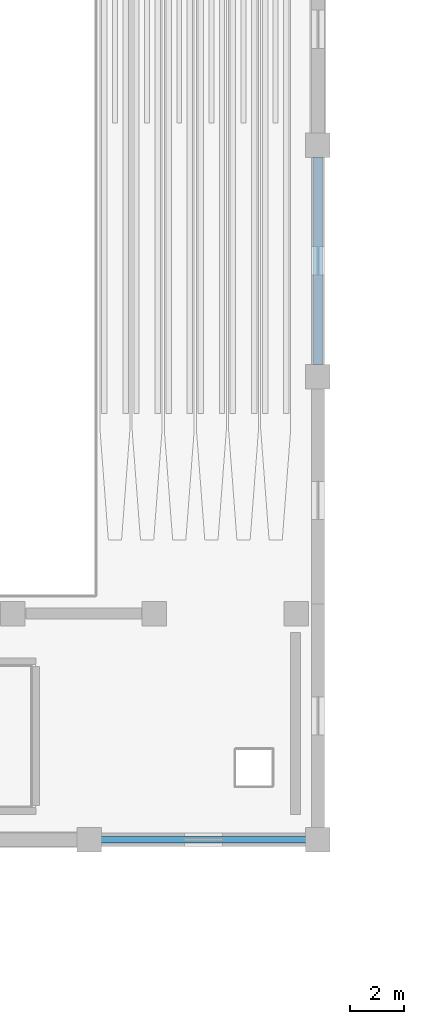
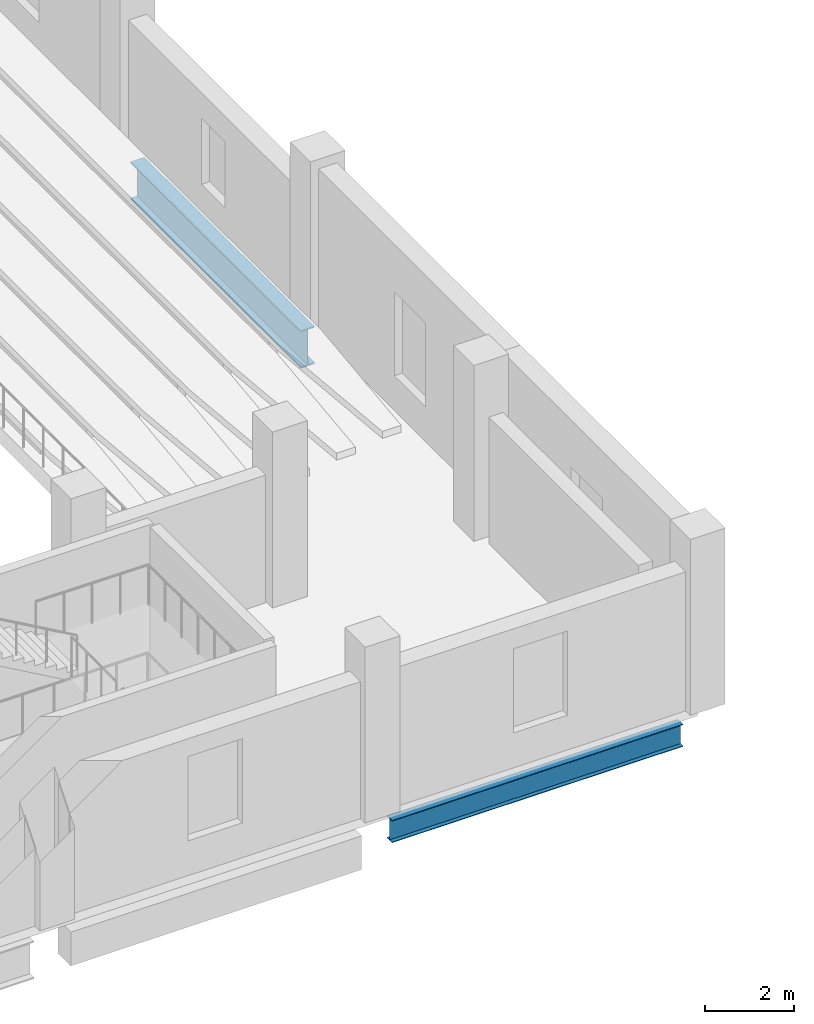
# One storey, part 39 of 77: 2 beams.
"""IFC4 building model written with IfcOpenShell, lengths in metres."""

import ifcopenshell
import ifcopenshell.guid

model = None  # the IFC model being written
_history = None  # IfcOwnerHistory: only IFC2X3 demands one
_inside = {}  # id of a spatial element -> (the spatial element, [elements in it])
_under = {}  # id of a project, library or spatial element -> (it, [spatial elements below it])
_declared = {}  # id of a project -> (the project, [libraries it declares])
_typed = {}  # id of a type object -> (the type object, [elements of that type])
_made_of = {}  # id of a material, layer set ... -> (it, [elements and type objects made of it])


def new_model(schema):
    """Start an empty IFC model of exactly this schema.

    Asked for "IFC4X3", IfcOpenShell would pick the latest addendum, in which some entities
    have other attributes; the version numbers below select the first issue.
    IFC2X3 requires an IfcOwnerHistory on every rooted entity: one is made here for all.
    """
    global model, _history
    if schema == "IFC4X3":
        model = ifcopenshell.file(schema_version=(4, 3, 0, 0))
    else:
        model = ifcopenshell.file(schema=schema)
    _inside.clear()
    _under.clear()
    _declared.clear()
    _typed.clear()
    _made_of.clear()
    _history = None
    if model.schema == "IFC2X3":
        org = make("IfcOrganization", Name="unknown")
        user = make(
            "IfcPersonAndOrganization",
            ThePerson=make("IfcPerson", FamilyName="unknown"),
            TheOrganization=org,
        )
        app = make(
            "IfcApplication",
            ApplicationDeveloper=org,
            Version="unknown",
            ApplicationFullName="unknown",
            ApplicationIdentifier="unknown",
        )
        _history = make(
            "IfcOwnerHistory",
            OwningUser=user,
            OwningApplication=app,
            ChangeAction="ADDED",
            CreationDate=0,
        )
    return model


def make(cls, **values):
    """One entity of the class cls with the attributes given. An attribute that is None is left unset."""
    return model.create_entity(
        cls, **{name: value for name, value in values.items() if value is not None}
    )


def rooted(cls, **values):
    """An entity with a GlobalId (a new one), such as an element, a storey or a relation."""
    return make(cls, GlobalId=ifcopenshell.guid.new(), OwnerHistory=_history, **values)


def si_unit(unit_type, name, prefix=None):
    """IfcSIUnit, for example si_unit("LENGTHUNIT", "METRE", prefix="MILLI")."""
    return make("IfcSIUnit", UnitType=unit_type, Prefix=prefix, Name=name)


def assignment(units):
    """IfcUnitAssignment: the units of a project."""
    return None if units is None else make("IfcUnitAssignment", Units=units)


def point(xyz):
    """IfcCartesianPoint."""
    return None if xyz is None else make("IfcCartesianPoint", Coordinates=xyz)


def direction(xyz):
    """IfcDirection."""
    return None if xyz is None else make("IfcDirection", DirectionRatios=xyz)


def frame(location, z_axis=None, x_axis=None):
    """IfcAxis2Placement3D, a coordinate frame: its origin and axes. An axis left out is left unset."""
    return make(
        "IfcAxis2Placement3D",
        Location=point(location),
        Axis=direction(z_axis),
        RefDirection=direction(x_axis),
    )


def frame_2d(location, x_axis=None):
    """IfcAxis2Placement2D, a coordinate frame in the plane: its origin and x axis."""
    return make(
        "IfcAxis2Placement2D", Location=point(location), RefDirection=direction(x_axis)
    )


def origin():
    """The frame at (0, 0, 0) with its axes left unset."""
    return frame((0.0, 0.0, 0.0))


def origin_2d():
    """The frame at (0, 0) in the plane with its x axis left unset."""
    return frame_2d((0.0, 0.0))


def place(relative_to, where):
    """IfcLocalPlacement: puts the frame where relative to a parent placement (None: the world)."""
    return make(
        "IfcLocalPlacement", PlacementRelTo=relative_to, RelativePlacement=where
    )


def context(
    kind, dimensions, precision=None, world=None, true_north=None, identifier=None
):
    """IfcGeometricRepresentationContext, for example the 3D "Model" context."""
    return make(
        "IfcGeometricRepresentationContext",
        ContextIdentifier=identifier,
        ContextType=kind,
        CoordinateSpaceDimension=dimensions,
        Precision=precision,
        WorldCoordinateSystem=world,
        TrueNorth=true_north,
    )


def subcontext(parent, identifier, kind, view, scale=None):
    """IfcGeometricRepresentationSubContext, for example "Body" below "Model"."""
    return make(
        "IfcGeometricRepresentationSubContext",
        ContextIdentifier=identifier,
        ContextType=kind,
        ParentContext=parent,
        TargetScale=scale,
        TargetView=view,
    )


def project(units=None, contexts=None):
    """IfcProject with its units and contexts."""
    return rooted(
        "IfcProject",
        Name="project",
        RepresentationContexts=contexts,
        UnitsInContext=assignment(units),
    )


def spatial(cls, under=None, at=None, **own):
    """A site, building, storey or space (cls), placed at a placement, below another one or the project."""
    s = rooted(cls, ObjectPlacement=at, **own)
    if under is not None:
        _under.setdefault(under.id(), (under, []))[1].append(s)
    return s


def profile(cls, at=None, kind="AREA", **sizes):
    """A parametric profile (cls). Its sizes go by their IFC names, for example OverallWidth=200.0."""
    return make(cls, ProfileType=kind, Position=at, **sizes)


def i_section(**sizes):
    """IfcIShapeProfileDef."""
    return profile("IfcIShapeProfileDef", **sizes)


def extrude(swept, where, along, depth):
    """IfcExtrudedAreaSolid: the profile swept, set in the frame where, extruded along a direction by depth."""
    return make(
        "IfcExtrudedAreaSolid",
        SweptArea=swept,
        Position=where,
        ExtrudedDirection=direction(along),
        Depth=depth,
    )


def shape(context_of_items, identifier, shape_type, items):
    """IfcShapeRepresentation: the items that make up one representation, for example the "Body"."""
    return make(
        "IfcShapeRepresentation",
        ContextOfItems=context_of_items,
        RepresentationIdentifier=identifier,
        RepresentationType=shape_type,
        Items=items,
    )


def material(Name=None, Category=None):
    """IfcMaterial."""
    return make("IfcMaterial", Name=Name, Category=Category)


def material_profile(
    of_material, cross_section, Name=None, Category=None, Priority=None
):
    """IfcMaterialProfile: a cross section and its material."""
    return make(
        "IfcMaterialProfile",
        Name=Name,
        Material=of_material,
        Profile=cross_section,
        Priority=Priority,
        Category=Category,
    )


def profile_set(profiles, Name=None, composite=None):
    """IfcMaterialProfileSet."""
    return make(
        "IfcMaterialProfileSet",
        Name=Name,
        MaterialProfiles=profiles,
        CompositeProfile=composite,
    )


def made_of(thing, what):
    """Note that an element or type object is made of a material, layer set ...; save() writes the relation."""
    if what is not None:
        _made_of.setdefault(what.id(), (what, []))[1].append(thing)
    return thing


def type_object(cls, material=None, **own):
    """A type object (cls), such as IfcWallType, which elements share."""
    return made_of(rooted(cls, **own), material)


def element(
    cls,
    number,
    at=None,
    inside=None,
    cuts=None,
    type_object=None,
    material=None,
    context=None,
    identifier="Body",
    shape_type=None,
    held_by="IfcProductDefinitionShape",
    body=None,
    shapes=None,
    **own,
):
    """One element of the class cls, such as IfcWall. Its Tag is "e" and its number.

    at: its placement. inside: the storey or other place that contains it. cuts: it is an
    opening in that element (IfcRelVoidsElement). A single representation is given by context,
    identifier, shape_type and body (its items); several are given by shapes. held_by: the class
    of the entity that holds the representations. save() writes the other relations.
    """
    e = rooted(cls, Tag="e%d" % number, ObjectPlacement=at, **own)
    if body is not None:
        shapes = [shape(context, identifier, shape_type, body)]
    if shapes is not None:
        e.Representation = make(held_by, Representations=shapes)
    if inside is not None:
        _inside.setdefault(inside.id(), (inside, []))[1].append(e)
    if cuts is not None:
        rooted(
            "IfcRelVoidsElement", RelatingBuildingElement=cuts, RelatedOpeningElement=e
        )
    if type_object is not None:
        _typed.setdefault(type_object.id(), (type_object, []))[1].append(e)
    return made_of(e, material)


def aggregate(whole, parts):
    """IfcRelAggregates: a whole, such as a stair, and the parts it consists of."""
    return rooted("IfcRelAggregates", RelatingObject=whole, RelatedObjects=parts)


def save(model, path):
    """Write the relations noted so far, then the file.

    IfcRelAggregates (storeys below a building ...), IfcRelContainedInSpatialStructure (elements
    in a storey), IfcRelDefinesByType, IfcRelAssociatesMaterial and IfcRelDeclares: one each for
    every whole, place, type object, material and project.
    """
    for whole, parts in _under.values():
        aggregate(whole, parts)
    for where, things in _inside.values():
        rooted(
            "IfcRelContainedInSpatialStructure",
            RelatedElements=things,
            RelatingStructure=where,
        )
    for kind, things in _typed.values():
        rooted("IfcRelDefinesByType", RelatedObjects=things, RelatingType=kind)
    for what, things in _made_of.values():
        rooted("IfcRelAssociatesMaterial", RelatedObjects=things, RelatingMaterial=what)
    for by, libraries in _declared.values():
        rooted("IfcRelDeclares", RelatingContext=by, RelatedDefinitions=libraries)
    model.write(path)


model = new_model("IFC4")

# Units and contexts
model_context = context("Model", 3, precision=1e-05, world=origin(), true_north=direction((0.0, 1.0)))
body_context = subcontext(model_context, "Body", "Model", "MODEL_VIEW")
ifc_project = project(units=[si_unit("LENGTHUNIT", "METRE"), si_unit("AREAUNIT", "SQUARE_METRE"), si_unit("VOLUMEUNIT", "CUBIC_METRE"), si_unit("PLANEANGLEUNIT", "RADIAN"), si_unit("MASSUNIT", "GRAM", prefix="KILO")], contexts=[model_context])

# Site, building, storey
site_placement = place(None, origin())
site = spatial("IfcSite", under=ifc_project, at=site_placement, CompositionType="ELEMENT")
building_placement = place(site_placement, origin())
building = spatial("IfcBuilding", under=site, at=building_placement, Name="Solvento Point Concert Hall", CompositionType="ELEMENT")
storey_placement = place(building_placement, frame((0.0, 0.0, 10.199951171875)))
storey = spatial("IfcBuildingStorey", under=building, at=storey_placement, Name="L02", CompositionType="ELEMENT", Elevation=10.199951171875)

# Beams
ifc_material_1 = material(Name="Structural Steel ASTM A992 Grade 50", Category="steel")
ifc_material_profile_1 = material_profile(ifc_material_1, i_section(OverallWidth=0.228515625, OverallDepth=0.60791015625, WebThickness=0.01123046875, FlangeThickness=0.017333984375, at=origin_2d()), Name="W24X76")
ifc_profile_set_1 = profile_set([ifc_material_profile_1], Name="Structural Steel ASTM A992 Grade 50")
beam_type_1 = type_object("IfcBeamType", Name="Beam_W24X76", PredefinedType="BEAM", material=ifc_profile_set_1)
beam_1_placement = place(storey_placement, frame((125.243896484375, 42.5, -0.748046875), z_axis=(1.0, 0.0, 0.0), x_axis=(0.0, 1.0, 0.0)))
element("IfcBeam", 1, at=beam_1_placement, inside=storey, type_object=beam_type_1, Name="Primary girder B-42 L02", PredefinedType="BEAM", context=body_context, shape_type="SweptSolid", body=[
    extrude(i_section(OverallWidth=0.228515625, OverallDepth=0.60791015625, WebThickness=0.01123046875, FlangeThickness=0.017333984375, at=origin_2d()), origin(), (0.0, 0.0, 1.0), 7.51220703125),
])
ifc_material_2 = material(Name="Structural Steel ASTM A992 Grade 50", Category="steel")
ifc_material_profile_2 = material_profile(ifc_material_2, i_section(OverallWidth=0.361083984375, OverallDepth=1.02587890625, WebThickness=0.01904296875, FlangeThickness=0.0361328125, at=origin_2d()), Name="W40X249")
ifc_profile_set_2 = profile_set([ifc_material_profile_2], Name="Structural Steel ASTM A992 Grade 50")
beam_type_2 = type_object("IfcBeamType", Name="Girder_W40X249", PredefinedType="USERDEFINED", material=ifc_profile_set_2)
beam_2_placement = place(storey_placement, frame((133.199951171875, 59.944091796875, -0.95703125), z_axis=(0.0, 1.0, 0.0), x_axis=(-1.0, 0.0, 0.0)))
element("IfcBeam", 2, at=beam_2_placement, inside=storey, type_object=beam_type_2, Name="Primary girder B-29 L02", ObjectType="GIRDER", PredefinedType="USERDEFINED", context=body_context, shape_type="SweptSolid", body=[
    extrude(i_section(OverallWidth=0.361083984375, OverallDepth=1.02587890625, WebThickness=0.01904296875, FlangeThickness=0.0361328125, at=origin_2d()), origin(), (0.0, 0.0, 1.0), 7.61181640625),
])

save(model, "model.ifc")
